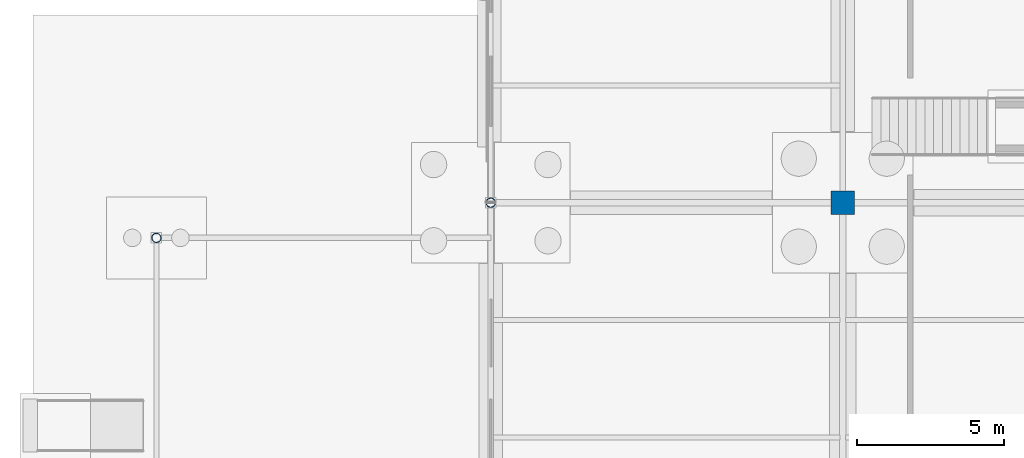
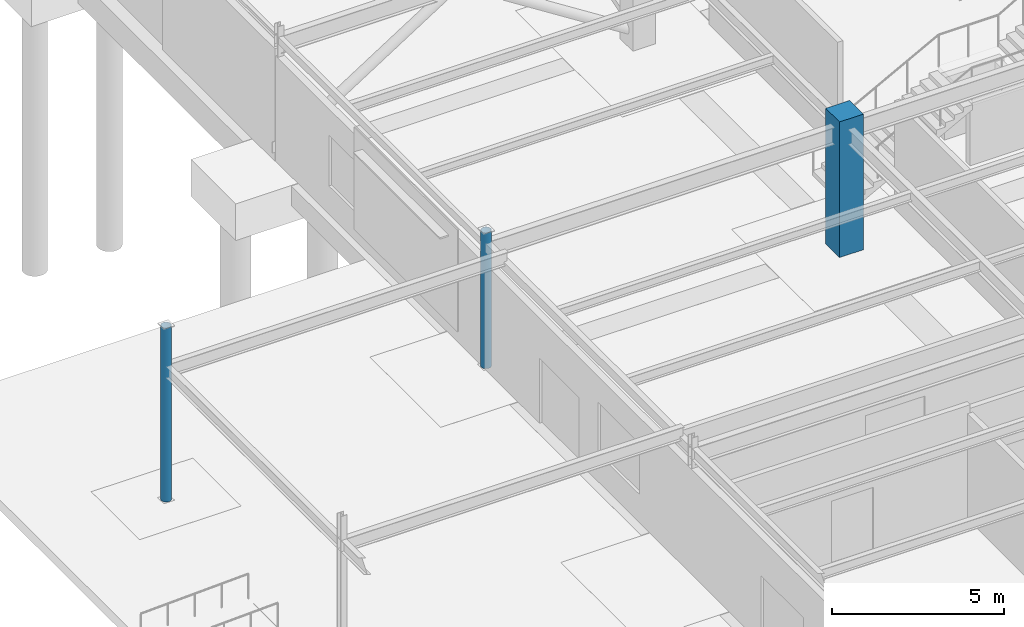
# One storey, part 15 of 136: 3 columns.
"""IFC4 building model written with IfcOpenShell, lengths in metres."""

from ifc_helpers import new_model, si_unit, direction, frame, origin, origin_2d, place, context, subcontext, project, spatial, rectangle, hollow_circle, extrude, material, material_profile, profile_set, type_object, element, save


model = new_model("IFC4")

# Units and contexts
model_context = context("Model", 3, precision=1e-05, world=origin(), true_north=direction((0.0, 1.0)))
body_context = subcontext(model_context, "Body", "Model", "MODEL_VIEW")
ifc_project = project(units=[si_unit("LENGTHUNIT", "METRE"), si_unit("AREAUNIT", "SQUARE_METRE"), si_unit("VOLUMEUNIT", "CUBIC_METRE"), si_unit("PLANEANGLEUNIT", "RADIAN"), si_unit("MASSUNIT", "GRAM", prefix="KILO")], contexts=[model_context])

# Site, building, storey
site_placement = place(None, origin())
site = spatial("IfcSite", under=ifc_project, at=site_placement, CompositionType="ELEMENT")
building_placement = place(site_placement, origin())
building = spatial("IfcBuilding", under=site, at=building_placement, Name="Tarnwether General Hospital", CompositionType="ELEMENT")
storey_placement = place(building_placement, frame((0.0, 0.0, -4.800048828125)))
storey = spatial("IfcBuildingStorey", under=building, at=storey_placement, Name="LG", CompositionType="ELEMENT", Elevation=-4.800048828125)

# Columns
ifc_material_1 = material(Name="Concrete 50 MPa", Category="concrete")
ifc_material_profile_1 = material_profile(ifc_material_1, rectangle(XDim=0.800048828125, YDim=0.800048828125, at=origin_2d()), Name="RC-COL-800x800")
ifc_profile_set_1 = profile_set([ifc_material_profile_1], Name="Concrete 50 MPa")
column_type_1 = type_object("IfcColumnType", Name="COL-16", PredefinedType="COLUMN", material=ifc_profile_set_1)
column_1_placement = place(storey_placement, frame((12.0, 33.60009765625, 0.0), z_axis=(0.0, 0.0, 1.0), x_axis=(0.0, 1.0, 0.0)))
element("IfcColumn", 1, at=column_1_placement, inside=storey, type_object=column_type_1, Name="Column COLG-LG-1200_3360", PredefinedType="COLUMN", context=body_context, shape_type="SweptSolid", body=[
    extrude(rectangle(XDim=0.800048828125, YDim=0.800048828125, at=origin_2d()), origin(), (0.0, 0.0, 1.0), 4.800048828125),
])
ifc_material_2 = material(Name="Steel Grade C350L0 (350 MPa)", Category="steel")
ifc_material_profile_2 = material_profile(ifc_material_2, hollow_circle(Radius=0.161865234375, WallThickness=0.0126953125, at=origin_2d()), Name="CHS323.9x12.7")
ifc_profile_set_2 = profile_set([ifc_material_profile_2], Name="Steel Grade C350L0 (350 MPa)")
column_type_2 = type_object("IfcColumnType", Name="COL-26", PredefinedType="COLUMN", material=ifc_profile_set_2)
column_2_placement = place(storey_placement, frame((0.0, 33.60009765625, 0.0), z_axis=(0.0, 0.0, 1.0), x_axis=(1.0, 0.0, 0.0)))
element("IfcColumn", 2, at=column_2_placement, inside=storey, type_object=column_type_2, Name="Column COLG-LG-0_3360", PredefinedType="COLUMN", context=body_context, shape_type="SweptSolid", body=[
    extrude(hollow_circle(Radius=0.161865234375, WallThickness=0.0126953125, at=origin_2d()), origin(), (0.0, 0.0, 1.0), 4.800048828125),
])
column_3_placement = place(storey_placement, frame((-11.39990234375, 32.39990234375, 0.0), z_axis=(0.0, 0.0, 1.0), x_axis=(1.0, 0.0, 0.0)))
element("IfcColumn", 3, at=column_3_placement, inside=storey, type_object=column_type_2, Name="Column COLG-LG--1140_3240", PredefinedType="COLUMN", context=body_context, shape_type="SweptSolid", body=[
    extrude(hollow_circle(Radius=0.161865234375, WallThickness=0.0126953125, at=origin_2d()), origin(), (0.0, 0.0, 1.0), 6.150146484375),
])

save(model, "model.ifc")
